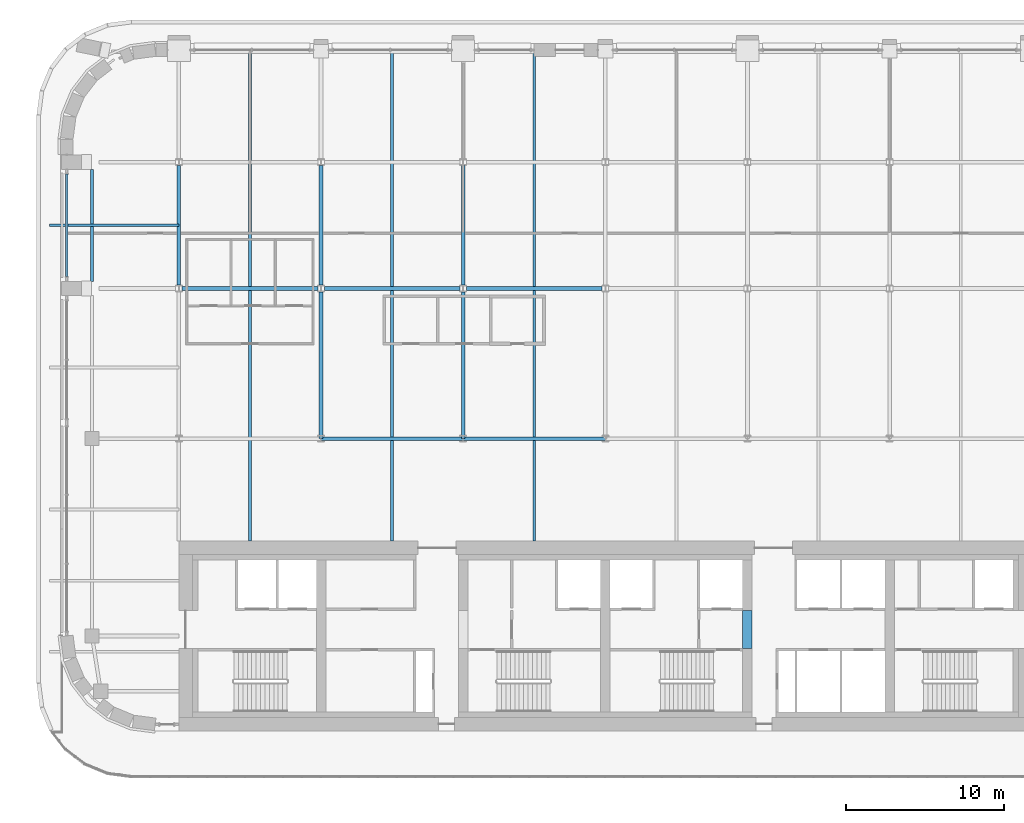
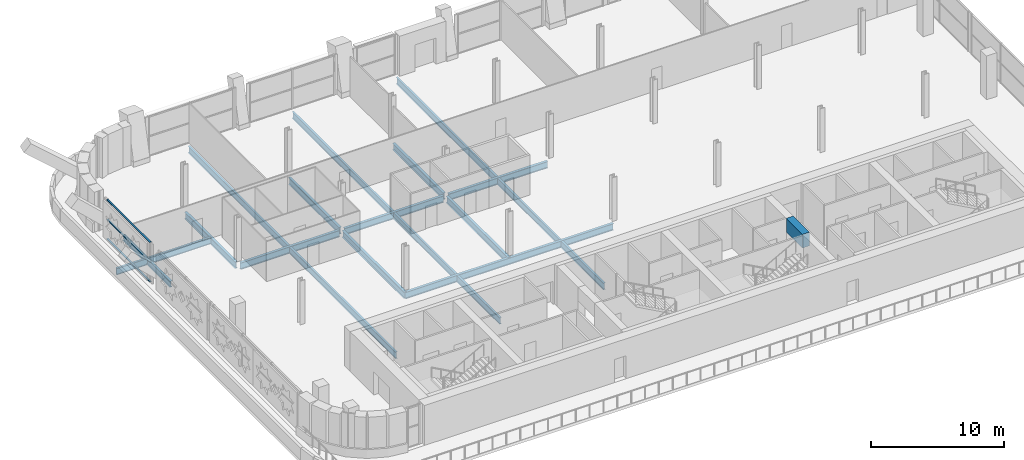
# One storey, part 4 of 23: 15 beams, 3 members, 1 element without a shape of its own.
"""IFC4 building model written with IfcOpenShell, lengths in metres."""

from ifc_helpers import new_model, si_unit, direction, frame, origin, origin_2d, place, context, subcontext, project, spatial, rectangle, i_section, extrude, material, material_profile, profile_set, type_object, element, aggregate, save


model = new_model("IFC4")

# Units and contexts
model_context = context("Model", 3, precision=1e-05, world=origin(), true_north=direction((0.0, 1.0)))
body_context = subcontext(model_context, "Body", "Model", "MODEL_VIEW")
ifc_project = project(units=[si_unit("LENGTHUNIT", "METRE"), si_unit("AREAUNIT", "SQUARE_METRE"), si_unit("VOLUMEUNIT", "CUBIC_METRE"), si_unit("PLANEANGLEUNIT", "RADIAN"), si_unit("MASSUNIT", "GRAM", prefix="KILO")], contexts=[model_context])

# Site, building, storey
site_placement = place(None, origin())
site = spatial("IfcSite", under=ifc_project, at=site_placement, CompositionType="ELEMENT")
building_placement = place(site_placement, origin())
building = spatial("IfcBuilding", under=site, at=building_placement, Name="Zellij Exchange Tower", CompositionType="ELEMENT")
storey_placement = place(building_placement, frame((0.0, 0.0, 212.5)))
storey = spatial("IfcBuildingStorey", under=building, at=storey_placement, Name="L49", CompositionType="ELEMENT", Elevation=212.5)

# Beam
ifc_material_1 = material(Name="Concrete C60/75", Category="concrete")
ifc_material_profile_1 = material_profile(ifc_material_1, rectangle(XDim=0.60009765625, YDim=1.25, at=origin_2d()), Name="CORE-CB 600x1250 C60/75")
ifc_profile_set_1 = profile_set([ifc_material_profile_1], Name="Concrete C60/75")
beam_type_1 = type_object("IfcBeamType", Name="CORE-CB 600x1250 C60/75", PredefinedType="BEAM", material=ifc_profile_set_1)
beam_1_placement = place(storey_placement, frame((9.0, -8.800048828125, 3.02490234375), z_axis=(0.0, 1.0, 0.0), x_axis=(-1.0, 0.0, 0.0)))
element("IfcBeam", 1, at=beam_1_placement, inside=storey, type_object=beam_type_1, Name="Core coupling beam x 9 L49", PredefinedType="BEAM", context=body_context, shape_type="SweptSolid", body=[
    extrude(rectangle(XDim=0.60009765625, YDim=1.25, at=origin_2d()), origin(), (0.0, 0.0, 1.0), 2.425048828125),
])

# Curtain wall, members
ifc_material_2 = material(Name="Aluminium frame, clear insulating glass", Category="aluminium")
curtain_wall_type = type_object("IfcCurtainWallType", Name="ENV-CW6 Sky-lobby glazing", PredefinedType="NOTDEFINED", material=ifc_material_2)
curtain_wall_placement = place(storey_placement, origin())
curtain_wall = element("IfcCurtainWall", 2, at=curtain_wall_placement, inside=storey, type_object=curtain_wall_type, Name="cw.L49.21b", PredefinedType="NOTDEFINED")
ifc_material_3 = material(Name="Aluminium", Category="aluminium")
ifc_material_profile_2 = material_profile(ifc_material_3, rectangle(XDim=0.139892578125, YDim=0.06005859375, at=origin_2d()), Name="AL 140x60")
ifc_profile_set_2 = profile_set([ifc_material_profile_2], Name="Aluminium")
member_type = type_object("IfcMemberType", Name="ENV-CW6T Transom 140x60", PredefinedType="USERDEFINED", material=ifc_profile_set_2)
member_1_placement = place(storey_placement, frame((-34.10009765625, 21.239990234375, 0.030029296875), z_axis=(0.0, -1.0, 0.0), x_axis=(1.0, 0.0, 0.0)))
member_1 = element("IfcMember", 3, at=member_1_placement, type_object=member_type, Name="CW6 transom 1.1", ObjectType="TRANSOM", PredefinedType="USERDEFINED", context=body_context, shape_type="SweptSolid", body=[
    extrude(rectangle(XDim=0.139892578125, YDim=0.06005859375, at=origin_2d()), origin(), (0.0, 0.0, 1.0), 6.47998046875),
])
member_2_placement = place(storey_placement, frame((-34.10009765625, 21.239990234375, 1.824951171875), z_axis=(0.0, -1.0, 0.0), x_axis=(1.0, 0.0, 0.0)))
member_2 = element("IfcMember", 4, at=member_2_placement, type_object=member_type, Name="CW6 transom 1.2", ObjectType="TRANSOM", PredefinedType="USERDEFINED", context=body_context, shape_type="SweptSolid", body=[
    extrude(rectangle(XDim=0.139892578125, YDim=0.06005859375, at=origin_2d()), origin(), (0.0, 0.0, 1.0), 6.47998046875),
])
member_3_placement = place(storey_placement, frame((-34.10009765625, 21.239990234375, 3.6201171875), z_axis=(0.0, -1.0, 0.0), x_axis=(1.0, 0.0, 0.0)))
member_3 = element("IfcMember", 5, at=member_3_placement, type_object=member_type, Name="CW6 transom 1.3", ObjectType="TRANSOM", PredefinedType="USERDEFINED", context=body_context, shape_type="SweptSolid", body=[
    extrude(rectangle(XDim=0.139892578125, YDim=0.06005859375, at=origin_2d()), origin(), (0.0, 0.0, 1.0), 6.47998046875),
])
aggregate(curtain_wall, [member_1, member_2, member_3])

# Beams
ifc_material_4 = material(Name="Structural steel ASTM A992 Gr 50", Category="steel")
ifc_material_profile_3 = material_profile(ifc_material_4, i_section(OverallWidth=0.177978515625, OverallDepth=0.599365234375, WebThickness=0.010009765625, FlangeThickness=0.012939453125, at=origin_2d()), Name="W24x55")
ifc_profile_set_3 = profile_set([ifc_material_profile_3], Name="Structural steel ASTM A992 Gr 50")
beam_type_2 = type_object("IfcBeamType", Name="STR-BEAM W24x55", PredefinedType="BEAM", material=ifc_profile_set_3)
for number, where, z_axis, x_axis, name in (
    (6, (-22.5, -2.0, -0.599609375), (0.0, 1.0, 0.0), (-1.0, 0.0, 0.0), "B4"),
    (7, (-13.5, -2.0, -0.599609375), (0.0, 1.0, 0.0), (-1.0, 0.0, 0.0), "B4"),
    (8, (-4.5, -2.0, -0.599609375), (0.0, 1.0, 0.0), (-1.0, 0.0, 0.0), "B4"),
):
    element("IfcBeam", number, at=place(storey_placement, frame(where, z_axis=z_axis, x_axis=x_axis)), inside=storey, type_object=beam_type_2, Name=name, PredefinedType="BEAM", context=body_context, shape_type="SweptSolid", body=[
        extrude(i_section(OverallWidth=0.177978515625, OverallDepth=0.599365234375, WebThickness=0.010009765625, FlangeThickness=0.012939453125, at=origin_2d()), origin(), (0.0, 0.0, 1.0), 31.1142578125),
    ])
beam_2_placement = place(storey_placement, frame((-35.199951171875, 18.0, -0.599609375), z_axis=(1.0, 0.0, 0.0), x_axis=(0.0, 1.0, 0.0)))
element("IfcBeam", 9, at=beam_2_placement, inside=storey, type_object=beam_type_2, Name="B4", PredefinedType="BEAM", context=body_context, shape_type="SweptSolid", body=[
    extrude(i_section(OverallWidth=0.177978515625, OverallDepth=0.599365234375, WebThickness=0.010009765625, FlangeThickness=0.012939453125, at=origin_2d()), origin(), (0.0, 0.0, 1.0), 8.199951171875),
])
ifc_material_profile_4 = material_profile(ifc_material_4, i_section(OverallWidth=0.209228515625, OverallDepth=0.533447265625, WebThickness=0.01025390625, FlangeThickness=0.015625, at=origin_2d()), Name="W21x62")
ifc_profile_set_4 = profile_set([ifc_material_profile_4], Name="Structural steel ASTM A992 Gr 50")
beam_type_3 = type_object("IfcBeamType", Name="STR-EDGE GIRDER W21x62", PredefinedType="BEAM", material=ifc_profile_set_4)
beam_3_placement = place(storey_placement, frame((-32.5, 14.449951171875, -0.566650390625), z_axis=(0.0, 1.0, 0.0), x_axis=(-1.0, 0.0, 0.0)))
element("IfcBeam", 10, at=beam_3_placement, inside=storey, type_object=beam_type_3, Name="EB3", PredefinedType="BEAM", context=body_context, shape_type="SweptSolid", body=[
    extrude(i_section(OverallWidth=0.209228515625, OverallDepth=0.533447265625, WebThickness=0.01025390625, FlangeThickness=0.015625, at=origin_2d()), origin(), (0.0, 0.0, 1.0), 7.10009765625),
])
ifc_material_profile_5 = material_profile(ifc_material_4, i_section(OverallWidth=0.228271484375, OverallDepth=0.607177734375, WebThickness=0.01123046875, FlangeThickness=0.017333984375, at=origin_2d()), Name="W24x76")
ifc_profile_set_5 = profile_set([ifc_material_profile_5], Name="Structural steel ASTM A992 Gr 50")
beam_type_4 = type_object("IfcBeamType", Name="STR-GIRDER W24x76", PredefinedType="BEAM", material=ifc_profile_set_5)
beam_4_placement = place(storey_placement, frame((-18.0, 4.5, -0.603515625), z_axis=(1.0, 0.0, 0.0), x_axis=(0.0, 1.0, 0.0)))
element("IfcBeam", 11, at=beam_4_placement, inside=storey, type_object=beam_type_4, Name="G2", PredefinedType="BEAM", context=body_context, shape_type="SweptSolid", body=[
    extrude(i_section(OverallWidth=0.228271484375, OverallDepth=0.607177734375, WebThickness=0.01123046875, FlangeThickness=0.017333984375, at=origin_2d()), origin(), (0.0, 0.0, 1.0), 18.0),
])
for number, where, z_axis, x_axis, name in (
    (12, (-26.79541015625, 14.0, -0.603515625), (1.0, 0.0, 0.0), (0.0, 1.0, 0.0), "G2"),
    (13, (-17.79541015625, 14.0, -0.603515625), (1.0, 0.0, 0.0), (0.0, 1.0, 0.0), "G2"),
    (14, (-8.79541015625, 14.0, -0.603515625), (1.0, 0.0, 0.0), (0.0, 1.0, 0.0), "G2"),
):
    element("IfcBeam", number, at=place(storey_placement, frame(where, z_axis=z_axis, x_axis=x_axis)), inside=storey, type_object=beam_type_4, Name=name, PredefinedType="BEAM", context=body_context, shape_type="SweptSolid", body=[
        extrude(i_section(OverallWidth=0.228271484375, OverallDepth=0.607177734375, WebThickness=0.01123046875, FlangeThickness=0.017333984375, at=origin_2d()), origin(), (0.0, 0.0, 1.0), 8.5908203125),
    ])
beam_5_placement = place(storey_placement, frame((-27.0, 14.212158203125, -0.603515625), z_axis=(0.0, 1.0, 0.0), x_axis=(-1.0, 0.0, 0.0)))
element("IfcBeam", 15, at=beam_5_placement, inside=storey, type_object=beam_type_4, Name="G2", PredefinedType="BEAM", context=body_context, shape_type="SweptSolid", body=[
    extrude(i_section(OverallWidth=0.228271484375, OverallDepth=0.607177734375, WebThickness=0.01123046875, FlangeThickness=0.017333984375, at=origin_2d()), origin(), (0.0, 0.0, 1.0), 7.57568359375),
])
beam_6_placement = place(storey_placement, frame((-18.0, 4.5, -0.603515625), z_axis=(0.0, 1.0, 0.0), x_axis=(-1.0, 0.0, 0.0)))
element("IfcBeam", 16, at=beam_6_placement, inside=storey, type_object=beam_type_4, Name="G2", PredefinedType="BEAM", context=body_context, shape_type="SweptSolid", body=[
    extrude(i_section(OverallWidth=0.228271484375, OverallDepth=0.607177734375, WebThickness=0.01123046875, FlangeThickness=0.017333984375, at=origin_2d()), origin(), (0.0, 0.0, 1.0), 9.287841796875),
])
beam_7_placement = place(storey_placement, frame((-18.0, 14.212158203125, -0.603515625), z_axis=(0.0, 1.0, 0.0), x_axis=(-1.0, 0.0, 0.0)))
element("IfcBeam", 17, at=beam_7_placement, inside=storey, type_object=beam_type_4, Name="G2", PredefinedType="BEAM", context=body_context, shape_type="SweptSolid", body=[
    extrude(i_section(OverallWidth=0.228271484375, OverallDepth=0.607177734375, WebThickness=0.01123046875, FlangeThickness=0.017333984375, at=origin_2d()), origin(), (0.0, 0.0, 1.0), 7.57568359375),
])
beam_8_placement = place(storey_placement, frame((-9.0, 4.5, -0.603515625), z_axis=(0.0, 1.0, 0.0), x_axis=(-1.0, 0.0, 0.0)))
element("IfcBeam", 18, at=beam_8_placement, inside=storey, type_object=beam_type_4, Name="G2", PredefinedType="BEAM", context=body_context, shape_type="SweptSolid", body=[
    extrude(i_section(OverallWidth=0.228271484375, OverallDepth=0.607177734375, WebThickness=0.01123046875, FlangeThickness=0.017333984375, at=origin_2d()), origin(), (0.0, 0.0, 1.0), 9.287841796875),
])
beam_9_placement = place(storey_placement, frame((-9.0, 14.212158203125, -0.603515625), z_axis=(0.0, 1.0, 0.0), x_axis=(-1.0, 0.0, 0.0)))
element("IfcBeam", 19, at=beam_9_placement, inside=storey, type_object=beam_type_4, Name="G2", PredefinedType="BEAM", context=body_context, shape_type="SweptSolid", body=[
    extrude(i_section(OverallWidth=0.228271484375, OverallDepth=0.607177734375, WebThickness=0.01123046875, FlangeThickness=0.017333984375, at=origin_2d()), origin(), (0.0, 0.0, 1.0), 7.57568359375),
])

save(model, "model.ifc")
